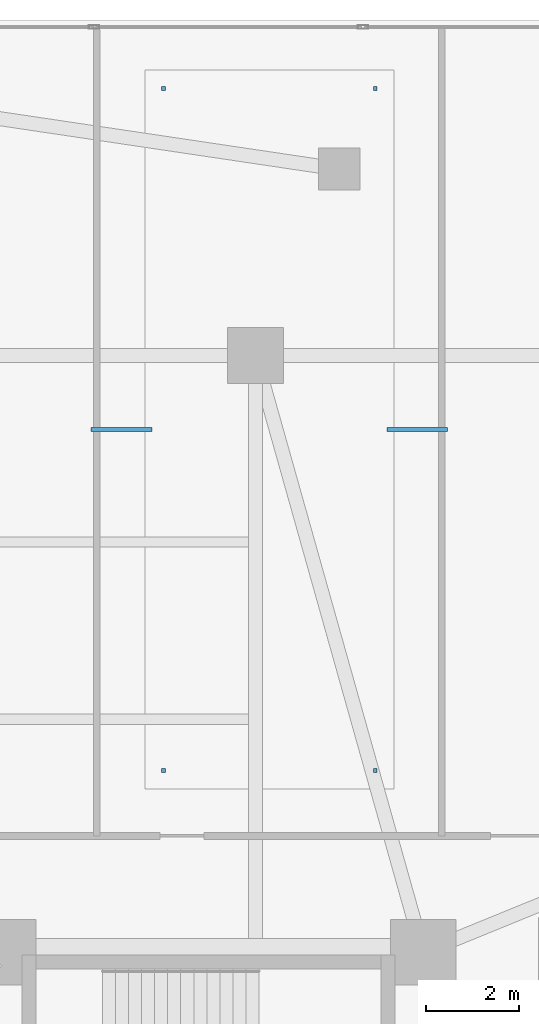
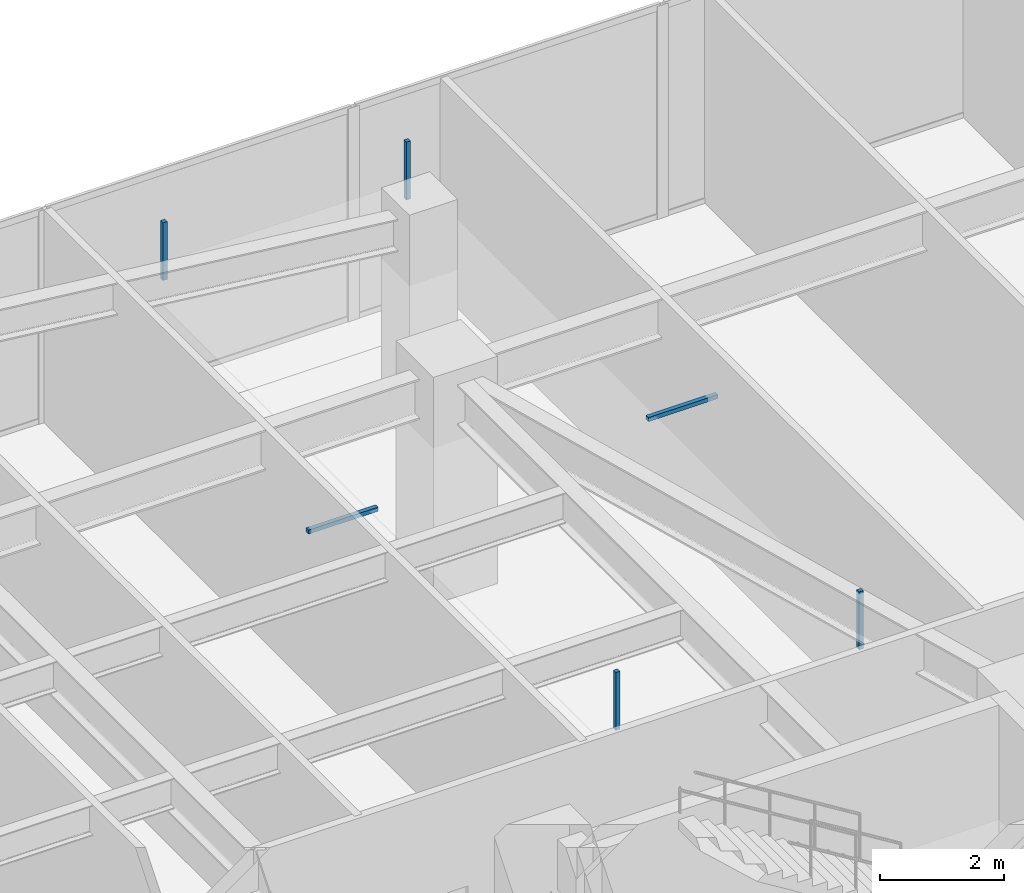
# One storey, part 23 of 27: 6 discrete accessories.
"""IFC4 building model written with IfcOpenShell, lengths in metres."""

from ifc_helpers import new_model, si_unit, direction, frame, origin, origin_2d, place, context, subcontext, project, spatial, rectangle, extrude, material, type_object, element, save


model = new_model("IFC4")

# Units and contexts
model_context = context("Model", 3, precision=1e-05, world=origin(), true_north=direction((0.0, 1.0)))
body_context = subcontext(model_context, "Body", "Model", "MODEL_VIEW")
ifc_project = project(units=[si_unit("LENGTHUNIT", "METRE"), si_unit("AREAUNIT", "SQUARE_METRE"), si_unit("VOLUMEUNIT", "CUBIC_METRE"), si_unit("PLANEANGLEUNIT", "RADIAN"), si_unit("MASSUNIT", "GRAM", prefix="KILO")], contexts=[model_context])

# Site, building, storey
site_placement = place(None, origin())
site = spatial("IfcSite", under=ifc_project, at=site_placement, CompositionType="ELEMENT")
building_placement = place(site_placement, origin())
building = spatial("IfcBuilding", under=site, at=building_placement, Name="Tarnavaz Court Tower", CompositionType="ELEMENT")
storey_placement = place(building_placement, frame((0.0, 0.0, 9.89990234375)))
storey = spatial("IfcBuildingStorey", under=building, at=storey_placement, Name="L02", CompositionType="ELEMENT", Elevation=9.89990234375)

# Discrete accessories
ifc_material = material(Name="Anodised Aluminium 6063-T6", Category="aluminium")
discrete_accessory_type = type_object("IfcDiscreteAccessoryType", Name="DA-BRKT-ALU", PredefinedType="BRACKET", material=ifc_material)
for number, where, z_axis, x_axis, name in (
    (1, (13.030029296875, 13.89990234375, 3.09033203125), (0.0, 0.0, 1.0), (1.0, 0.0, 0.0), "L02 Ceiling Suspension Hanger Bracket 04-1"),
    (2, (17.570068359375, 13.89990234375, 3.09033203125), (0.0, 0.0, 1.0), (1.0, 0.0, 0.0), "L02 Ceiling Suspension Hanger Bracket 04-2"),
    (3, (17.570068359375, 28.530029296875, 3.09033203125), (0.0, 0.0, 1.0), (1.0, 0.0, 0.0), "L02 Ceiling Suspension Hanger Bracket 04-3"),
    (4, (13.030029296875, 28.530029296875, 3.09033203125), (0.0, 0.0, 1.0), (1.0, 0.0, 0.0), "L02 Ceiling Suspension Hanger Bracket 04-4"),
):
    element("IfcDiscreteAccessory", number, at=place(storey_placement, frame(where, z_axis=z_axis, x_axis=x_axis)), inside=storey, type_object=discrete_accessory_type, Name=name, PredefinedType="BRACKET", context=body_context, shape_type="SweptSolid", body=[
        extrude(rectangle(XDim=0.080078125, YDim=0.080078125, at=origin_2d()), origin(), (0.0, 0.0, 1.0), 1.139892578125),
    ])
for number, where, z_axis, x_axis, name in (
    (5, (12.1298828125, 21.215087890625, 3.052490234375), (0.0, 0.0, 1.0), (1.0, 0.0, 0.0), "L02 Ceiling Perimeter Wall-Tie Bracket 04-1"),
    (6, (18.469970703125, 21.215087890625, 3.052490234375), (0.0, 0.0, 1.0), (1.0, 0.0, 0.0), "L02 Ceiling Perimeter Wall-Tie Bracket 04-2"),
):
    element("IfcDiscreteAccessory", number, at=place(storey_placement, frame(where, z_axis=z_axis, x_axis=x_axis)), inside=storey, type_object=discrete_accessory_type, Name=name, PredefinedType="BRACKET", context=body_context, shape_type="SweptSolid", body=[
        extrude(rectangle(XDim=1.300048828125, YDim=0.080078125, at=origin_2d()), origin(), (0.0, 0.0, 1.0), 0.080078125),
    ])

save(model, "model.ifc")
